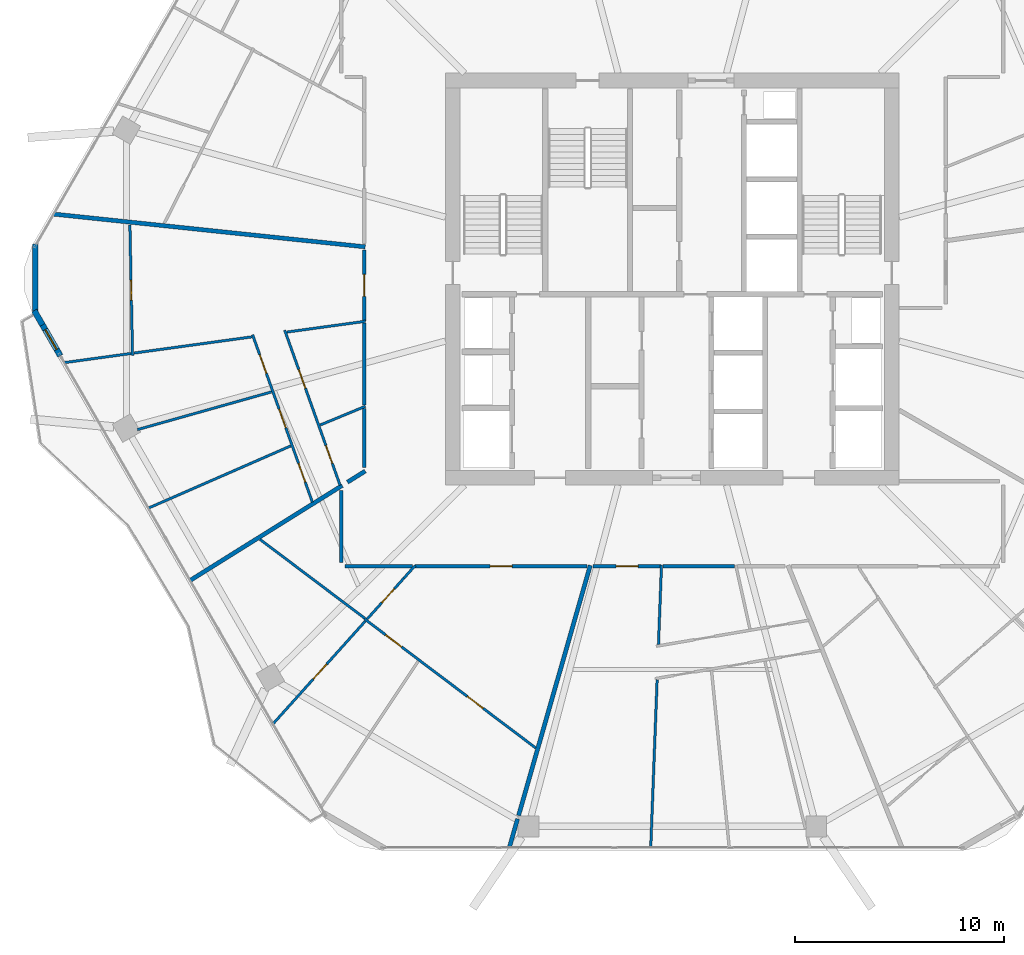
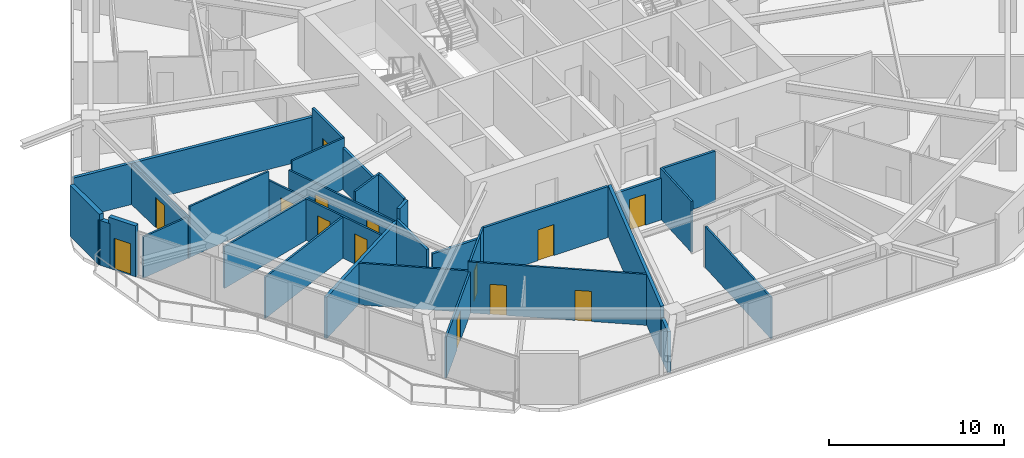
# One storey, part 18 of 26: 32 walls, 14 doors, 14 openings.
"""IFC4 building model written with IfcOpenShell, lengths in metres."""

import ifcopenshell
import ifcopenshell.guid

model = None  # the IFC model being written
_history = None  # IfcOwnerHistory: only IFC2X3 demands one
_inside = {}  # id of a spatial element -> (the spatial element, [elements in it])
_under = {}  # id of a project, library or spatial element -> (it, [spatial elements below it])
_declared = {}  # id of a project -> (the project, [libraries it declares])
_typed = {}  # id of a type object -> (the type object, [elements of that type])
_made_of = {}  # id of a material, layer set ... -> (it, [elements and type objects made of it])


def new_model(schema):
    """Start an empty IFC model of exactly this schema.

    Asked for "IFC4X3", IfcOpenShell would pick the latest addendum, in which some entities
    have other attributes; the version numbers below select the first issue.
    IFC2X3 requires an IfcOwnerHistory on every rooted entity: one is made here for all.
    """
    global model, _history
    if schema == "IFC4X3":
        model = ifcopenshell.file(schema_version=(4, 3, 0, 0))
    else:
        model = ifcopenshell.file(schema=schema)
    _inside.clear()
    _under.clear()
    _declared.clear()
    _typed.clear()
    _made_of.clear()
    _history = None
    if model.schema == "IFC2X3":
        org = make("IfcOrganization", Name="unknown")
        user = make(
            "IfcPersonAndOrganization",
            ThePerson=make("IfcPerson", FamilyName="unknown"),
            TheOrganization=org,
        )
        app = make(
            "IfcApplication",
            ApplicationDeveloper=org,
            Version="unknown",
            ApplicationFullName="unknown",
            ApplicationIdentifier="unknown",
        )
        _history = make(
            "IfcOwnerHistory",
            OwningUser=user,
            OwningApplication=app,
            ChangeAction="ADDED",
            CreationDate=0,
        )
    return model


def make(cls, **values):
    """One entity of the class cls with the attributes given. An attribute that is None is left unset."""
    return model.create_entity(
        cls, **{name: value for name, value in values.items() if value is not None}
    )


def rooted(cls, **values):
    """An entity with a GlobalId (a new one), such as an element, a storey or a relation."""
    return make(cls, GlobalId=ifcopenshell.guid.new(), OwnerHistory=_history, **values)


def si_unit(unit_type, name, prefix=None):
    """IfcSIUnit, for example si_unit("LENGTHUNIT", "METRE", prefix="MILLI")."""
    return make("IfcSIUnit", UnitType=unit_type, Prefix=prefix, Name=name)


def assignment(units):
    """IfcUnitAssignment: the units of a project."""
    return None if units is None else make("IfcUnitAssignment", Units=units)


def point(xyz):
    """IfcCartesianPoint."""
    return None if xyz is None else make("IfcCartesianPoint", Coordinates=xyz)


def direction(xyz):
    """IfcDirection."""
    return None if xyz is None else make("IfcDirection", DirectionRatios=xyz)


def frame(location, z_axis=None, x_axis=None):
    """IfcAxis2Placement3D, a coordinate frame: its origin and axes. An axis left out is left unset."""
    return make(
        "IfcAxis2Placement3D",
        Location=point(location),
        Axis=direction(z_axis),
        RefDirection=direction(x_axis),
    )


def frame_2d(location, x_axis=None):
    """IfcAxis2Placement2D, a coordinate frame in the plane: its origin and x axis."""
    return make(
        "IfcAxis2Placement2D", Location=point(location), RefDirection=direction(x_axis)
    )


def origin():
    """The frame at (0, 0, 0) with its axes left unset."""
    return frame((0.0, 0.0, 0.0))


def place(relative_to, where):
    """IfcLocalPlacement: puts the frame where relative to a parent placement (None: the world)."""
    return make(
        "IfcLocalPlacement", PlacementRelTo=relative_to, RelativePlacement=where
    )


def context(
    kind, dimensions, precision=None, world=None, true_north=None, identifier=None
):
    """IfcGeometricRepresentationContext, for example the 3D "Model" context."""
    return make(
        "IfcGeometricRepresentationContext",
        ContextIdentifier=identifier,
        ContextType=kind,
        CoordinateSpaceDimension=dimensions,
        Precision=precision,
        WorldCoordinateSystem=world,
        TrueNorth=true_north,
    )


def subcontext(parent, identifier, kind, view, scale=None):
    """IfcGeometricRepresentationSubContext, for example "Body" below "Model"."""
    return make(
        "IfcGeometricRepresentationSubContext",
        ContextIdentifier=identifier,
        ContextType=kind,
        ParentContext=parent,
        TargetScale=scale,
        TargetView=view,
    )


def project(units=None, contexts=None):
    """IfcProject with its units and contexts."""
    return rooted(
        "IfcProject",
        Name="project",
        RepresentationContexts=contexts,
        UnitsInContext=assignment(units),
    )


def spatial(cls, under=None, at=None, **own):
    """A site, building, storey or space (cls), placed at a placement, below another one or the project."""
    s = rooted(cls, ObjectPlacement=at, **own)
    if under is not None:
        _under.setdefault(under.id(), (under, []))[1].append(s)
    return s


def profile(cls, at=None, kind="AREA", **sizes):
    """A parametric profile (cls). Its sizes go by their IFC names, for example OverallWidth=200.0."""
    return make(cls, ProfileType=kind, Position=at, **sizes)


def rectangle(**sizes):
    """IfcRectangleProfileDef."""
    return profile("IfcRectangleProfileDef", **sizes)


def extrude(swept, where, along, depth):
    """IfcExtrudedAreaSolid: the profile swept, set in the frame where, extruded along a direction by depth."""
    return make(
        "IfcExtrudedAreaSolid",
        SweptArea=swept,
        Position=where,
        ExtrudedDirection=direction(along),
        Depth=depth,
    )


def shape(context_of_items, identifier, shape_type, items):
    """IfcShapeRepresentation: the items that make up one representation, for example the "Body"."""
    return make(
        "IfcShapeRepresentation",
        ContextOfItems=context_of_items,
        RepresentationIdentifier=identifier,
        RepresentationType=shape_type,
        Items=items,
    )


def material(Name=None, Category=None):
    """IfcMaterial."""
    return make("IfcMaterial", Name=Name, Category=Category)


def layer(
    of_material, thickness, ventilated=None, Name=None, Category=None, Priority=None
):
    """IfcMaterialLayer: one layer of a wall or slab, of a material (None: an air gap)."""
    return make(
        "IfcMaterialLayer",
        Material=of_material,
        LayerThickness=thickness,
        IsVentilated=ventilated,
        Name=Name,
        Category=Category,
        Priority=Priority,
    )


def layer_set(layers, Name=None):
    """IfcMaterialLayerSet."""
    return make("IfcMaterialLayerSet", MaterialLayers=layers, LayerSetName=Name)


def made_of(thing, what):
    """Note that an element or type object is made of a material, layer set ...; save() writes the relation."""
    if what is not None:
        _made_of.setdefault(what.id(), (what, []))[1].append(thing)
    return thing


def type_object(cls, material=None, **own):
    """A type object (cls), such as IfcWallType, which elements share."""
    return made_of(rooted(cls, **own), material)


def element(
    cls,
    number,
    at=None,
    inside=None,
    cuts=None,
    type_object=None,
    material=None,
    context=None,
    identifier="Body",
    shape_type=None,
    held_by="IfcProductDefinitionShape",
    body=None,
    shapes=None,
    **own,
):
    """One element of the class cls, such as IfcWall. Its Tag is "e" and its number.

    at: its placement. inside: the storey or other place that contains it. cuts: it is an
    opening in that element (IfcRelVoidsElement). A single representation is given by context,
    identifier, shape_type and body (its items); several are given by shapes. held_by: the class
    of the entity that holds the representations. save() writes the other relations.
    """
    e = rooted(cls, Tag="e%d" % number, ObjectPlacement=at, **own)
    if body is not None:
        shapes = [shape(context, identifier, shape_type, body)]
    if shapes is not None:
        e.Representation = make(held_by, Representations=shapes)
    if inside is not None:
        _inside.setdefault(inside.id(), (inside, []))[1].append(e)
    if cuts is not None:
        rooted(
            "IfcRelVoidsElement", RelatingBuildingElement=cuts, RelatedOpeningElement=e
        )
    if type_object is not None:
        _typed.setdefault(type_object.id(), (type_object, []))[1].append(e)
    return made_of(e, material)


def fill(opening, filler):
    """IfcRelFillsElement: the door or window that sits in an opening."""
    return rooted(
        "IfcRelFillsElement",
        RelatingOpeningElement=opening,
        RelatedBuildingElement=filler,
    )


def aggregate(whole, parts):
    """IfcRelAggregates: a whole, such as a stair, and the parts it consists of."""
    return rooted("IfcRelAggregates", RelatingObject=whole, RelatedObjects=parts)


def save(model, path):
    """Write the relations noted so far, then the file.

    IfcRelAggregates (storeys below a building ...), IfcRelContainedInSpatialStructure (elements
    in a storey), IfcRelDefinesByType, IfcRelAssociatesMaterial and IfcRelDeclares: one each for
    every whole, place, type object, material and project.
    """
    for whole, parts in _under.values():
        aggregate(whole, parts)
    for where, things in _inside.values():
        rooted(
            "IfcRelContainedInSpatialStructure",
            RelatedElements=things,
            RelatingStructure=where,
        )
    for kind, things in _typed.values():
        rooted("IfcRelDefinesByType", RelatedObjects=things, RelatingType=kind)
    for what, things in _made_of.values():
        rooted("IfcRelAssociatesMaterial", RelatedObjects=things, RelatingMaterial=what)
    for by, libraries in _declared.values():
        rooted("IfcRelDeclares", RelatingContext=by, RelatedDefinitions=libraries)
    model.write(path)


model = new_model("IFC4")

# Units and contexts
model_context = context("Model", 3, precision=1e-05, world=origin(), true_north=direction((0.0, 1.0)))
body_context = subcontext(model_context, "Body", "Model", "MODEL_VIEW")
ifc_project = project(units=[si_unit("LENGTHUNIT", "METRE"), si_unit("AREAUNIT", "SQUARE_METRE"), si_unit("VOLUMEUNIT", "CUBIC_METRE"), si_unit("PLANEANGLEUNIT", "RADIAN"), si_unit("MASSUNIT", "GRAM", prefix="KILO")], contexts=[model_context])

# Site, building, storey
site_placement = place(None, origin())
site = spatial("IfcSite", under=ifc_project, at=site_placement, CompositionType="ELEMENT")
building_placement = place(site_placement, origin())
building = spatial("IfcBuilding", under=site, at=building_placement, Name="Zuhravey Tower", CompositionType="ELEMENT")
storey_placement = place(building_placement, frame((0.0, 0.0, 158.0)))
storey = spatial("IfcBuildingStorey", under=building, at=storey_placement, Name="L39", CompositionType="ELEMENT", Elevation=158.0)

# Wall, opening, door
ifc_material_1 = material(Name="Gypsum fire-rated stud partition")
ifc_layer_1 = layer(ifc_material_1, 0.159912109375)
ifc_layer_set_1 = layer_set([ifc_layer_1], Name="Gypsum fire-rated stud partition")
wall_type_1 = type_object("IfcWallType", Name="Corridor Fire Partition 160", PredefinedType="PARTITIONING", material=ifc_layer_set_1)
wall_1_placement = place(storey_placement, frame((21.27001953125, 33.398193359375, 0.0), z_axis=(0.0, 0.0, 1.0), x_axis=(0.0, -1.0, 0.0)))
wall_1 = element("IfcWall", 1, at=wall_1_placement, inside=storey, type_object=wall_type_1, Name="L39 IW16 Partition 041", PredefinedType="PARTITIONING", context=body_context, shape_type="SweptSolid", body=[
    extrude(rectangle(XDim=3.40087890625, YDim=0.159912109375, at=frame_2d((1.700439453125, 0.0))), origin(), (0.0, 0.0, 1.0), 3.550048828125),
])
opening_1_placement = place(wall_1_placement, frame((1.175537109375, 0.0, 0.0)))
opening_1 = element("IfcOpeningElement", 2, at=opening_1_placement, cuts=wall_1, Name="Opening APD1", PredefinedType="OPENING", context=body_context, shape_type="SweptSolid", body=[
    extrude(rectangle(XDim=1.050048828125, YDim=2.14990234375, at=frame_2d((0.52490234375, 1.074951171875))), frame((0.0, 0.092041015625, 0.0), z_axis=(0.0, -1.0, 0.0), x_axis=(1.0, 0.0, 0.0)), (0.0, 0.0, 1.0), 0.183837890625),
])
ifc_material_2 = material(Name="Solid-core oak fire-rated leaf")
door_type_1 = type_object("IfcDoorType", Name="Apartment Entrance Fire Door 1050x2150", OperationType="NOTDEFINED", PredefinedType="DOOR", material=ifc_material_2)
door_1_placement = place(opening_1_placement, frame((1.050048828125, 0.0, 0.0), z_axis=(0.0, 0.0, 1.0), x_axis=(-1.0, 0.0, 0.0)))
door_1 = element("IfcDoor", 3, at=door_1_placement, inside=storey, type_object=door_type_1, Name="L39 Door 041.1", OperationType="SINGLE_SWING_LEFT", OverallHeight=2.14990234375, OverallWidth=1.050048828125, PredefinedType="DOOR", context=body_context, shape_type="SweptSolid", body=[
    extrude(rectangle(XDim=1.050048828125, YDim=2.14990234375, at=frame_2d((0.52490234375, 1.074951171875))), frame((0.0, 0.02490234375, 0.0), z_axis=(0.0, -1.0, 0.0), x_axis=(1.0, 0.0, 0.0)), (0.0, 0.0, 1.0), 0.050048828125),
])
fill(opening_1, door_1)

wall_2_placement = place(storey_placement, frame((23.698974609375, 18.27001953125, 0.0), z_axis=(0.0, 0.0, 1.0), x_axis=(1.0, 0.0, 0.0)))
wall_2 = element("IfcWall", 4, at=wall_2_placement, inside=storey, type_object=wall_type_1, Name="L39 IW16 Partition 045", PredefinedType="PARTITIONING", context=body_context, shape_type="SweptSolid", body=[
    extrude(rectangle(XDim=8.213134765625, YDim=0.159912109375, at=frame_2d((4.1064453125, 0.0))), origin(), (0.0, 0.0, 1.0), 3.550048828125),
])
opening_2_placement = place(wall_2_placement, frame((3.58154296875, 0.0, 0.0)))
opening_2 = element("IfcOpeningElement", 5, at=opening_2_placement, cuts=wall_2, Name="Opening APD1", PredefinedType="OPENING", context=body_context, shape_type="SweptSolid", body=[
    extrude(rectangle(XDim=1.050048828125, YDim=2.14990234375, at=frame_2d((0.52490234375, 1.074951171875))), frame((0.0, 0.092041015625, 0.0), z_axis=(0.0, -1.0, 0.0), x_axis=(1.0, 0.0, 0.0)), (0.0, 0.0, 1.0), 0.183837890625),
])
door_2_placement = place(opening_2_placement, frame((1.050048828125, 0.0, 0.0), z_axis=(0.0, 0.0, 1.0), x_axis=(-1.0, 0.0, 0.0)))
door_2 = element("IfcDoor", 6, at=door_2_placement, inside=storey, type_object=door_type_1, Name="L39 Door 045.1", OperationType="SINGLE_SWING_RIGHT", OverallHeight=2.14990234375, OverallWidth=1.050048828125, PredefinedType="DOOR", context=body_context, shape_type="SweptSolid", body=[
    extrude(rectangle(XDim=1.050048828125, YDim=2.14990234375, at=frame_2d((0.52490234375, 1.074951171875))), frame((0.0, 0.02490234375, 0.0), z_axis=(0.0, -1.0, 0.0), x_axis=(1.0, 0.0, 0.0)), (0.0, 0.0, 1.0), 0.050048828125),
])
fill(opening_2, door_2)

wall_3_placement = place(storey_placement, frame((32.213134765625, 18.27001953125, 0.0), z_axis=(0.0, 0.0, 1.0), x_axis=(1.0, 0.0, 0.0)))
wall_3 = element("IfcWall", 7, at=wall_3_placement, inside=storey, type_object=wall_type_1, Name="L39 IW16 Partition 048", PredefinedType="PARTITIONING", context=body_context, shape_type="SweptSolid", body=[
    extrude(rectangle(XDim=3.244140625, YDim=0.159912109375, at=frame_2d((1.6220703125, 0.0))), origin(), (0.0, 0.0, 1.0), 2.89990234375),
])
opening_3_placement = place(wall_3_placement, frame((1.09716796875, 0.0, 0.0)))
opening_3 = element("IfcOpeningElement", 8, at=opening_3_placement, cuts=wall_3, Name="Opening APD1", PredefinedType="OPENING", context=body_context, shape_type="SweptSolid", body=[
    extrude(rectangle(XDim=1.050048828125, YDim=2.14990234375, at=frame_2d((0.52490234375, 1.074951171875))), frame((0.0, 0.092041015625, 0.0), z_axis=(0.0, -1.0, 0.0), x_axis=(1.0, 0.0, 0.0)), (0.0, 0.0, 1.0), 0.183837890625),
])
door_3_placement = place(opening_3_placement, frame((1.050048828125, 0.0, 0.0), z_axis=(0.0, 0.0, 1.0), x_axis=(-1.0, 0.0, 0.0)))
door_3 = element("IfcDoor", 9, at=door_3_placement, inside=storey, type_object=door_type_1, Name="L39 Door 048.1", OperationType="SINGLE_SWING_RIGHT", OverallHeight=2.14990234375, OverallWidth=1.050048828125, PredefinedType="DOOR", context=body_context, shape_type="SweptSolid", body=[
    extrude(rectangle(XDim=1.050048828125, YDim=2.14990234375, at=frame_2d((0.52490234375, 1.074951171875))), frame((0.0, 0.02490234375, 0.0), z_axis=(0.0, -1.0, 0.0), x_axis=(1.0, 0.0, 0.0)), (0.0, 0.0, 1.0), 0.050048828125),
])
fill(opening_3, door_3)

# Walls
wall_4_placement = place(storey_placement, frame((21.27001953125, 29.908203125, 0.0), z_axis=(0.0, 0.0, 1.0), x_axis=(0.0, -1.0, 0.0)))
element("IfcWall", 10, at=wall_4_placement, inside=storey, type_object=wall_type_1, Name="L39 IW16 Partition 123", PredefinedType="PARTITIONING", context=body_context, shape_type="SweptSolid", body=[
    extrude(rectangle(XDim=3.9365234375, YDim=0.159912109375, at=frame_2d((1.96826171875, 0.0))), origin(), (0.0, 0.0, 1.0), 2.89990234375),
])
wall_5_placement = place(storey_placement, frame((21.27001953125, 25.82470703125, 0.0), z_axis=(0.0, 0.0, 1.0), x_axis=(0.0, -1.0, 0.0)))
element("IfcWall", 11, at=wall_5_placement, inside=storey, type_object=wall_type_1, Name="L39 IW16 Partition 124", PredefinedType="PARTITIONING", context=body_context, shape_type="SweptSolid", body=[
    extrude(rectangle(XDim=2.827880859375, YDim=0.159912109375, at=frame_2d((1.4140625, 0.0))), origin(), (0.0, 0.0, 1.0), 3.550048828125),
])
wall_6_placement = place(storey_placement, frame((20.169921875, 21.8916015625, 0.0), z_axis=(0.0, 0.0, 1.0), x_axis=(0.0, -1.0, 0.0)))
element("IfcWall", 12, at=wall_6_placement, inside=storey, type_object=wall_type_1, Name="L39 IW16 Partition 125", PredefinedType="PARTITIONING", context=body_context, shape_type="SweptSolid", body=[
    extrude(rectangle(XDim=3.441650390625, YDim=0.159912109375, at=frame_2d((1.720703125, 0.0))), origin(), (0.0, 0.0, 1.0), 3.14990234375),
])
wall_7_placement = place(storey_placement, frame((20.35009765625, 18.27001953125, 0.0), z_axis=(0.0, 0.0, 1.0), x_axis=(1.0, 0.0, 0.0)))
element("IfcWall", 13, at=wall_7_placement, inside=storey, type_object=wall_type_1, Name="L39 IW16 Partition 126", PredefinedType="PARTITIONING", context=body_context, shape_type="SweptSolid", body=[
    extrude(rectangle(XDim=3.230712890625, YDim=0.159912109375, at=frame_2d((1.615234375, 0.0))), origin(), (0.0, 0.0, 1.0), 2.89990234375),
])
wall_8_placement = place(storey_placement, frame((35.54541015625, 18.27001953125, 0.0), z_axis=(0.0, 0.0, 1.0), x_axis=(1.0, 0.0, 0.0)))
element("IfcWall", 14, at=wall_8_placement, inside=storey, type_object=wall_type_1, Name="L39 IW16 Partition 127", PredefinedType="PARTITIONING", context=body_context, shape_type="SweptSolid", body=[
    extrude(rectangle(XDim=3.42919921875, YDim=0.159912109375, at=frame_2d((1.714599609375, 0.0))), origin(), (0.0, 0.0, 1.0), 3.550048828125),
])

# Wall, opening, door
ifc_material_3 = material(Name="Precast concrete C40/50", Category="concrete")
ifc_layer_2 = layer(ifc_material_3, 0.280029296875)
ifc_layer_set_2 = layer_set([ifc_layer_2], Name="Precast concrete C40/50")
wall_type_2 = type_object("IfcWallType", Name="Crown Architectural Wall 280", PredefinedType="SOLIDWALL", material=ifc_layer_set_2)
wall_9_placement = place(storey_placement, frame((6.7255859375, 28.33837890625, 0.0), z_axis=(0.0, 0.0, 1.0), x_axis=(-0.49987987985, 0.866094744079, 0.0)))
wall_9 = element("IfcWall", 15, at=wall_9_placement, inside=storey, type_object=wall_type_2, Name="L39 Face 4 Facade Pier EW28-1", PredefinedType="SOLIDWALL", context=body_context, shape_type="SweptSolid", body=[
    extrude(rectangle(XDim=1.7900390625, YDim=0.280029296875, at=frame_2d((0.89501953125, 0.0))), origin(), (0.0, 0.0, 1.0), 3.550048828125),
])
opening_4_placement = place(wall_9_placement, frame((0.344970703125, 0.0, 0.0)))
opening_4 = element("IfcOpeningElement", 16, at=opening_4_placement, cuts=wall_9, Name="Opening BLD1", PredefinedType="OPENING", context=body_context, shape_type="SweptSolid", body=[
    extrude(rectangle(XDim=1.10009765625, YDim=2.199951171875, at=frame_2d((0.550048828125, 1.10009765625))), frame((0.0, 0.152099609375, 0.0), z_axis=(0.0, -1.0, 0.0), x_axis=(1.0, 0.0, 0.0)), (0.0, 0.0, 1.0), 0.303955078125),
])
ifc_material_4 = material(Name="Thermally broken aluminium and low-E glass", Category="aluminium")
door_type_2 = type_object("IfcDoorType", Name="Balcony & Sky-Tray Glazed Door 1100x2200", OperationType="NOTDEFINED", PredefinedType="DOOR", material=ifc_material_4)
door_4_placement = place(opening_4_placement, frame((1.10009765625, 0.0, 0.0), z_axis=(0.0, 0.0, 1.0), x_axis=(-1.0, 0.0, 0.0)))
door_4 = element("IfcDoor", 17, at=door_4_placement, inside=storey, type_object=door_type_2, Name="L39 Face 4 Wave Balcony Door", OperationType="SINGLE_SWING_LEFT", OverallHeight=2.199951171875, OverallWidth=1.10009765625, PredefinedType="DOOR", context=body_context, shape_type="SweptSolid", body=[
    extrude(rectangle(XDim=1.10009765625, YDim=2.199951171875, at=frame_2d((0.550048828125, 1.10009765625))), frame((0.0, 0.02490234375, 0.0), z_axis=(0.0, -1.0, 0.0), x_axis=(1.0, 0.0, 0.0)), (0.0, 0.0, 1.0), 0.050048828125),
])
fill(opening_4, door_4)

# Walls
wall_10_placement = place(storey_placement, frame((5.875732421875, 29.810546875, 0.0), z_axis=(0.0, 0.0, 1.0), x_axis=(-0.499927510798, 0.8660672514, 0.0)))
element("IfcWall", 18, at=wall_10_placement, inside=storey, type_object=wall_type_2, Name="L39 Face 4 Closure Pier EW28", PredefinedType="SOLIDWALL", context=body_context, shape_type="SweptSolid", body=[
    extrude(rectangle(XDim=0.7900390625, YDim=0.280029296875, at=frame_2d((0.39501953125, 0.0))), origin(), (0.0, 0.0, 1.0), 3.1220703125),
])
wall_11_placement = place(storey_placement, frame((5.5283203125, 30.3173828125, 0.0), z_axis=(0.0, 0.0, 1.0), x_axis=(0.0, 1.0, 0.0)))
element("IfcWall", 19, at=wall_11_placement, inside=storey, type_object=wall_type_2, Name="L39 Rounded Corner Closure Wall EW28-06", PredefinedType="SOLIDWALL", context=body_context, shape_type="SweptSolid", body=[
    extrude(rectangle(XDim=3.365234375, YDim=0.280029296875, at=frame_2d((1.6826171875, 0.0))), origin(), (0.0, 0.0, 1.0), 3.550048828125),
])
ifc_material_5 = material(Name="Gypsum double-stud party assembly")
ifc_layer_3 = layer(ifc_material_5, 0.199951171875)
ifc_layer_set_3 = layer_set([ifc_layer_3], Name="Gypsum double-stud party assembly")
wall_type_3 = type_object("IfcWallType", Name="Inter-Tenancy Party Wall 200", PredefinedType="PARTITIONING", material=ifc_layer_set_3)
wall_12_placement = place(storey_placement, frame((21.31005859375, 33.5439453125, 0.0), z_axis=(0.0, 0.0, 1.0), x_axis=(-0.994521332404, 0.104533819379, 0.0)))
element("IfcWall", 20, at=wall_12_placement, inside=storey, type_object=wall_type_3, Name="L39 IW20 Partition 085", PredefinedType="PARTITIONING", context=body_context, shape_type="SweptSolid", body=[
    extrude(rectangle(XDim=14.984619140625, YDim=0.199951171875, at=frame_2d((7.4921875, 0.0))), origin(), (0.0, 0.0, 1.0), 2.8701171875),
])
wall_13_placement = place(storey_placement, frame((21.31005859375, 22.82080078125, 0.0), z_axis=(0.0, 0.0, 1.0), x_axis=(-0.848039384523, -0.529933205506, 0.0)))
element("IfcWall", 21, at=wall_13_placement, inside=storey, type_object=wall_type_3, Name="L39 IW20 Partition 092", PredefinedType="PARTITIONING", context=body_context, shape_type="SweptSolid", body=[
    extrude(rectangle(XDim=1.00146484375, YDim=0.199951171875, at=frame_2d((0.500732421875, 0.0))), origin(), (0.0, 0.0, 1.0), 3.550048828125),
])
wall_14_placement = place(storey_placement, frame((20.2099609375, 22.13330078125, 0.0), z_axis=(0.0, 0.0, 1.0), x_axis=(-0.848051050333, -0.529914536534, 0.0)))
element("IfcWall", 22, at=wall_14_placement, inside=storey, type_object=wall_type_3, Name="L39 IW20 Partition 093", PredefinedType="PARTITIONING", context=body_context, shape_type="SweptSolid", body=[
    extrude(rectangle(XDim=8.580322265625, YDim=0.199951171875, at=frame_2d((4.2900390625, 0.0))), origin(), (0.0, 0.0, 1.0), 2.8701171875),
])
wall_15_placement = place(storey_placement, frame((32.074462890625, 18.31005859375, 0.0), z_axis=(0.0, 0.0, 1.0), x_axis=(-0.275640788156, -0.961260711724, 0.0)))
element("IfcWall", 23, at=wall_15_placement, inside=storey, type_object=wall_type_3, Name="L39 IW20 Partition 097", PredefinedType="PARTITIONING", context=body_context, shape_type="SweptSolid", body=[
    extrude(rectangle(XDim=12.4453125, YDim=0.199951171875, at=frame_2d((6.22265625, 0.0))), origin(), (0.0, 0.0, 1.0), 3.550048828125),
])
wall_16_placement = place(storey_placement, frame((28.597900390625, 6.186279296875, 0.0), z_axis=(0.0, 0.0, 1.0), x_axis=(-0.275581158173, -0.961277808576, 0.0)))
element("IfcWall", 24, at=wall_16_placement, inside=storey, type_object=wall_type_3, Name="L39 IW20 Partition 098", PredefinedType="PARTITIONING", context=body_context, shape_type="SweptSolid", body=[
    extrude(rectangle(XDim=1.424560546875, YDim=0.199951171875, at=frame_2d((0.71240234375, 0.0))), origin(), (0.0, 0.0, 1.0), 2.8701171875),
])

# Wall, opening, door
ifc_material_6 = material(Name="Gypsum metal-stud partition")
ifc_layer_4 = layer(ifc_material_6, 0.1201171875)
ifc_layer_set_4 = layer_set([ifc_layer_4], Name="Gypsum metal-stud partition")
wall_type_4 = type_object("IfcWallType", Name="Unit Internal Partition 120", PredefinedType="PARTITIONING", material=ifc_layer_set_4)
wall_17_placement = place(storey_placement, frame((10.05419921875, 34.598876953125, 0.0), z_axis=(0.0, 0.0, 1.0), x_axis=(0.020243671552, -0.999795075884, 0.0)))
wall_17 = element("IfcWall", 25, at=wall_17_placement, inside=storey, type_object=wall_type_4, Name="L39 IW12 Partition 038", PredefinedType="PARTITIONING", context=body_context, shape_type="SweptSolid", body=[
    extrude(rectangle(XDim=6.2470703125, YDim=0.1201171875, at=frame_2d((3.12353515625, 0.0))), origin(), (0.0, 0.0, 1.0), 2.8701171875),
])
opening_5_placement = place(wall_17_placement, frame((2.6484375, 0.0, 0.0)))
opening_5 = element("IfcOpeningElement", 26, at=opening_5_placement, cuts=wall_17, Name="Opening IND1", PredefinedType="OPENING", context=body_context, shape_type="SweptSolid", body=[
    extrude(rectangle(XDim=0.949951171875, YDim=2.10009765625, at=frame_2d((0.47509765625, 1.050048828125))), frame((0.0, 0.072021484375, 0.0), z_axis=(0.0, -1.0, 0.0), x_axis=(1.0, 0.0, 0.0)), (0.0, 0.0, 1.0), 0.14404296875),
])
ifc_material_7 = material(Name="Painted engineered timber leaf", Category="wood")
door_type_3 = type_object("IfcDoorType", Name="Internal Room & Bedroom Door 950x2100", OperationType="NOTDEFINED", PredefinedType="DOOR", material=ifc_material_7)
door_5_placement = place(opening_5_placement, frame((0.949951171875, 0.0, 0.0), z_axis=(0.0, 0.0, 1.0), x_axis=(-1.0, 0.0, 0.0)))
door_5 = element("IfcDoor", 27, at=door_5_placement, inside=storey, type_object=door_type_3, Name="Apartment L39-05 Family Study Door", OperationType="SINGLE_SWING_LEFT", OverallHeight=2.10009765625, OverallWidth=0.949951171875, PredefinedType="DOOR", context=body_context, shape_type="SweptSolid", body=[
    extrude(rectangle(XDim=0.949951171875, YDim=2.10009765625, at=frame_2d((0.47509765625, 1.050048828125))), frame((0.0, 0.02490234375, 0.0), z_axis=(0.0, -1.0, 0.0), x_axis=(1.0, 0.0, 0.0)), (0.0, 0.0, 1.0), 0.050048828125),
])
fill(opening_5, door_5)

# Wall, openings, doors
wall_18_placement = place(storey_placement, frame((17.459716796875, 29.5546875, 0.0), z_axis=(0.0, 0.0, 1.0), x_axis=(0.336444483984, -0.941703302106, 0.0)))
wall_18 = element("IfcWall", 28, at=wall_18_placement, inside=storey, type_object=wall_type_4, Name="L39 IW12 Partition 039", PredefinedType="PARTITIONING", context=body_context, shape_type="SweptSolid", body=[
    extrude(rectangle(XDim=7.86962890625, YDim=0.1201171875, at=frame_2d((3.934814453125, 0.0))), origin(), (0.0, 0.0, 1.0), 2.89990234375),
])
opening_6_placement = place(wall_18_placement, frame((1.997314453125, 0.0, 0.0)))
opening_6 = element("IfcOpeningElement", 29, at=opening_6_placement, cuts=wall_18, Name="Opening IND1", PredefinedType="OPENING", context=body_context, shape_type="SweptSolid", body=[
    extrude(rectangle(XDim=0.949951171875, YDim=2.10009765625, at=frame_2d((0.47509765625, 1.050048828125))), frame((0.0, 0.072021484375, 0.0), z_axis=(0.0, -1.0, 0.0), x_axis=(1.0, 0.0, 0.0)), (0.0, 0.0, 1.0), 0.14404296875),
])
opening_7_placement = place(wall_18_placement, frame((5.854736328125, 0.0, 0.0)))
opening_7 = element("IfcOpeningElement", 30, at=opening_7_placement, cuts=wall_18, Name="Opening WCD1", PredefinedType="OPENING", context=body_context, shape_type="SweptSolid", body=[
    extrude(rectangle(XDim=0.89990234375, YDim=2.10009765625, at=frame_2d((0.449951171875, 1.050048828125))), frame((0.0, 0.072021484375, 0.0), z_axis=(0.0, -1.0, 0.0), x_axis=(1.0, 0.0, 0.0)), (0.0, 0.0, 1.0), 0.14404296875),
])
ifc_material_8 = material(Name="Moisture-resistant timber leaf", Category="wood")
door_type_4 = type_object("IfcDoorType", Name="Bathroom & WC Internal Door 900x2100", OperationType="NOTDEFINED", PredefinedType="DOOR", material=ifc_material_8)
door_6_placement = place(opening_7_placement, origin())
door_6 = element("IfcDoor", 31, at=door_6_placement, inside=storey, type_object=door_type_4, Name="Apartment L39-05 Bathroom Door", OperationType="SINGLE_SWING_LEFT", OverallHeight=2.10009765625, OverallWidth=0.89990234375, PredefinedType="DOOR", context=body_context, shape_type="SweptSolid", body=[
    extrude(rectangle(XDim=0.89990234375, YDim=2.10009765625, at=frame_2d((0.449951171875, 1.050048828125))), frame((0.0, 0.02490234375, 0.0), z_axis=(0.0, -1.0, 0.0), x_axis=(1.0, 0.0, 0.0)), (0.0, 0.0, 1.0), 0.050048828125),
])
fill(opening_7, door_6)
door_7_placement = place(opening_6_placement, origin())
door_7 = element("IfcDoor", 32, at=door_7_placement, inside=storey, type_object=door_type_3, Name="Apartment L39-05 Kitchen Door", OperationType="SINGLE_SWING_RIGHT", OverallHeight=2.10009765625, OverallWidth=0.949951171875, PredefinedType="DOOR", context=body_context, shape_type="SweptSolid", body=[
    extrude(rectangle(XDim=0.949951171875, YDim=2.10009765625, at=frame_2d((0.47509765625, 1.050048828125))), frame((0.0, 0.02490234375, 0.0), z_axis=(0.0, -1.0, 0.0), x_axis=(1.0, 0.0, 0.0)), (0.0, 0.0, 1.0), 0.050048828125),
])
fill(opening_6, door_7)

wall_19_placement = place(storey_placement, frame((15.921142578125, 29.34326171875, 0.0), z_axis=(0.0, 0.0, 1.0), x_axis=(0.336440023532, -0.941704895689, 0.0)))
wall_19 = element("IfcWall", 33, at=wall_19_placement, inside=storey, type_object=wall_type_4, Name="L39 IW12 Partition 040", PredefinedType="PARTITIONING", context=body_context, shape_type="SweptSolid", body=[
    extrude(rectangle(XDim=8.5068359375, YDim=0.1201171875, at=frame_2d((4.25341796875, 0.0))), origin(), (0.0, 0.0, 1.0), 2.89990234375),
])
opening_8_placement = place(wall_19_placement, frame((1.0185546875, 0.0, 0.0)))
opening_8 = element("IfcOpeningElement", 34, at=opening_8_placement, cuts=wall_19, Name="Opening IND1", PredefinedType="OPENING", context=body_context, shape_type="SweptSolid", body=[
    extrude(rectangle(XDim=0.949951171875, YDim=2.10009765625, at=frame_2d((0.47509765625, 1.050048828125))), frame((0.0, 0.072021484375, 0.0), z_axis=(0.0, -1.0, 0.0), x_axis=(1.0, 0.0, 0.0)), (0.0, 0.0, 1.0), 0.14404296875),
])
opening_9_placement = place(wall_19_placement, frame((3.778564453125, 0.0, 0.0)))
opening_9 = element("IfcOpeningElement", 35, at=opening_9_placement, cuts=wall_19, Name="Opening IND1", PredefinedType="OPENING", context=body_context, shape_type="SweptSolid", body=[
    extrude(rectangle(XDim=0.949951171875, YDim=2.10009765625, at=frame_2d((0.47509765625, 1.050048828125))), frame((0.0, 0.072021484375, 0.0), z_axis=(0.0, -1.0, 0.0), x_axis=(1.0, 0.0, 0.0)), (0.0, 0.0, 1.0), 0.14404296875),
])
opening_10_placement = place(wall_19_placement, frame((6.538330078125, 0.0, 0.0)))
opening_10 = element("IfcOpeningElement", 36, at=opening_10_placement, cuts=wall_19, Name="Opening IND1", PredefinedType="OPENING", context=body_context, shape_type="SweptSolid", body=[
    extrude(rectangle(XDim=0.949951171875, YDim=2.10009765625, at=frame_2d((0.47509765625, 1.050048828125))), frame((0.0, 0.072021484375, 0.0), z_axis=(0.0, -1.0, 0.0), x_axis=(1.0, 0.0, 0.0)), (0.0, 0.0, 1.0), 0.14404296875),
])
door_8_placement = place(opening_8_placement, frame((0.949951171875, 0.0, 0.0), z_axis=(0.0, 0.0, 1.0), x_axis=(-1.0, 0.0, 0.0)))
door_8 = element("IfcDoor", 37, at=door_8_placement, inside=storey, type_object=door_type_3, Name="Apartment L39-05 Bedroom 1 Door", OperationType="SINGLE_SWING_RIGHT", OverallHeight=2.10009765625, OverallWidth=0.949951171875, PredefinedType="DOOR", context=body_context, shape_type="SweptSolid", body=[
    extrude(rectangle(XDim=0.949951171875, YDim=2.10009765625, at=frame_2d((0.47509765625, 1.050048828125))), frame((0.0, 0.02490234375, 0.0), z_axis=(0.0, -1.0, 0.0), x_axis=(1.0, 0.0, 0.0)), (0.0, 0.0, 1.0), 0.050048828125),
])
fill(opening_8, door_8)
door_9_placement = place(opening_9_placement, frame((0.949951171875, 0.0, 0.0), z_axis=(0.0, 0.0, 1.0), x_axis=(-1.0, 0.0, 0.0)))
door_9 = element("IfcDoor", 38, at=door_9_placement, inside=storey, type_object=door_type_3, Name="Apartment L39-05 Bedroom 2 Door", OperationType="SINGLE_SWING_LEFT", OverallHeight=2.10009765625, OverallWidth=0.949951171875, PredefinedType="DOOR", context=body_context, shape_type="SweptSolid", body=[
    extrude(rectangle(XDim=0.949951171875, YDim=2.10009765625, at=frame_2d((0.47509765625, 1.050048828125))), frame((0.0, 0.02490234375, 0.0), z_axis=(0.0, -1.0, 0.0), x_axis=(1.0, 0.0, 0.0)), (0.0, 0.0, 1.0), 0.050048828125),
])
fill(opening_9, door_9)
door_10_placement = place(opening_10_placement, frame((0.949951171875, 0.0, 0.0), z_axis=(0.0, 0.0, 1.0), x_axis=(-1.0, 0.0, 0.0)))
door_10 = element("IfcDoor", 39, at=door_10_placement, inside=storey, type_object=door_type_3, Name="Apartment L39-05 Bedroom 3 Door", OperationType="SINGLE_SWING_RIGHT", OverallHeight=2.10009765625, OverallWidth=0.949951171875, PredefinedType="DOOR", context=body_context, shape_type="SweptSolid", body=[
    extrude(rectangle(XDim=0.949951171875, YDim=2.10009765625, at=frame_2d((0.47509765625, 1.050048828125))), frame((0.0, 0.02490234375, 0.0), z_axis=(0.0, -1.0, 0.0), x_axis=(1.0, 0.0, 0.0)), (0.0, 0.0, 1.0), 0.050048828125),
])
fill(opening_10, door_10)

wall_20_placement = place(storey_placement, frame((21.2744140625, 15.749267578125, 0.0), z_axis=(0.0, 0.0, 1.0), x_axis=(0.798637831458, -0.601811942524, 0.0)))
wall_20 = element("IfcWall", 40, at=wall_20_placement, inside=storey, type_object=wall_type_4, Name="L39 IW12 Partition 042", PredefinedType="PARTITIONING", context=body_context, shape_type="SweptSolid", body=[
    extrude(rectangle(XDim=10.253173828125, YDim=0.1201171875, at=frame_2d((5.12646484375, 0.0))), origin(), (0.0, 0.0, 1.0), 3.550048828125),
])
opening_11_placement = place(wall_20_placement, frame((1.27685546875, 0.0, 0.0)))
opening_11 = element("IfcOpeningElement", 41, at=opening_11_placement, cuts=wall_20, Name="Opening IND1", PredefinedType="OPENING", context=body_context, shape_type="SweptSolid", body=[
    extrude(rectangle(XDim=0.949951171875, YDim=2.10009765625, at=frame_2d((0.47509765625, 1.050048828125))), frame((0.0, 0.072021484375, 0.0), z_axis=(0.0, -1.0, 0.0), x_axis=(1.0, 0.0, 0.0)), (0.0, 0.0, 1.0), 0.14404296875),
])
opening_12_placement = place(wall_20_placement, frame((6.1630859375, 0.0, 0.0)))
opening_12 = element("IfcOpeningElement", 42, at=opening_12_placement, cuts=wall_20, Name="Opening IND1", PredefinedType="OPENING", context=body_context, shape_type="SweptSolid", body=[
    extrude(rectangle(XDim=0.949951171875, YDim=2.10009765625, at=frame_2d((0.47509765625, 1.050048828125))), frame((0.0, 0.072021484375, 0.0), z_axis=(0.0, -1.0, 0.0), x_axis=(1.0, 0.0, 0.0)), (0.0, 0.0, 1.0), 0.14404296875),
])
door_11_placement = place(opening_11_placement, frame((0.949951171875, 0.0, 0.0), z_axis=(0.0, 0.0, 1.0), x_axis=(-1.0, 0.0, 0.0)))
door_11 = element("IfcDoor", 43, at=door_11_placement, inside=storey, type_object=door_type_3, Name="Apartment L39-06 Family Study Door", OperationType="SINGLE_SWING_RIGHT", OverallHeight=2.10009765625, OverallWidth=0.949951171875, PredefinedType="DOOR", context=body_context, shape_type="SweptSolid", body=[
    extrude(rectangle(XDim=0.949951171875, YDim=2.10009765625, at=frame_2d((0.47509765625, 1.050048828125))), frame((0.0, 0.02490234375, 0.0), z_axis=(0.0, -1.0, 0.0), x_axis=(1.0, 0.0, 0.0)), (0.0, 0.0, 1.0), 0.050048828125),
])
fill(opening_11, door_11)
door_12_placement = place(opening_12_placement, frame((0.949951171875, 0.0, 0.0), z_axis=(0.0, 0.0, 1.0), x_axis=(-1.0, 0.0, 0.0)))
door_12 = element("IfcDoor", 44, at=door_12_placement, inside=storey, type_object=door_type_3, Name="Apartment L39-06 Dining Room Door", OperationType="SINGLE_SWING_LEFT", OverallHeight=2.10009765625, OverallWidth=0.949951171875, PredefinedType="DOOR", context=body_context, shape_type="SweptSolid", body=[
    extrude(rectangle(XDim=0.949951171875, YDim=2.10009765625, at=frame_2d((0.47509765625, 1.050048828125))), frame((0.0, 0.02490234375, 0.0), z_axis=(0.0, -1.0, 0.0), x_axis=(1.0, 0.0, 0.0)), (0.0, 0.0, 1.0), 0.050048828125),
])
fill(opening_12, door_12)

# Wall, opening, door
wall_21_placement = place(storey_placement, frame((23.160400390625, 17.699951171875, 0.0), z_axis=(0.0, 0.0, 1.0), x_axis=(-0.668093965752, -0.744076913313, 0.0)))
wall_21 = element("IfcWall", 45, at=wall_21_placement, inside=storey, type_object=wall_type_4, Name="L39 IW12 Partition 043", PredefinedType="PARTITIONING", context=body_context, shape_type="SweptSolid", body=[
    extrude(rectangle(XDim=2.634765625, YDim=0.1201171875, at=frame_2d((1.3173828125, 0.0))), origin(), (0.0, 0.0, 1.0), 3.550048828125),
])
opening_13_placement = place(wall_21_placement, frame((0.682861328125, 0.0, 0.0)))
opening_13 = element("IfcOpeningElement", 46, at=opening_13_placement, cuts=wall_21, Name="Opening WCD1", PredefinedType="OPENING", context=body_context, shape_type="SweptSolid", body=[
    extrude(rectangle(XDim=0.89990234375, YDim=2.10009765625, at=frame_2d((0.449951171875, 1.050048828125))), frame((0.0, 0.072021484375, 0.0), z_axis=(0.0, -1.0, 0.0), x_axis=(1.0, 0.0, 0.0)), (0.0, 0.0, 1.0), 0.14404296875),
])
door_13_placement = place(opening_13_placement, frame((0.89990234375, 0.0, 0.0), z_axis=(0.0, 0.0, 1.0), x_axis=(-1.0, 0.0, 0.0)))
door_13 = element("IfcDoor", 47, at=door_13_placement, inside=storey, type_object=door_type_4, Name="Apartment L39-06 Bathroom Door", OperationType="SINGLE_SWING_RIGHT", OverallHeight=2.10009765625, OverallWidth=0.89990234375, PredefinedType="DOOR", context=body_context, shape_type="SweptSolid", body=[
    extrude(rectangle(XDim=0.89990234375, YDim=2.10009765625, at=frame_2d((0.449951171875, 1.050048828125))), frame((0.0, 0.02490234375, 0.0), z_axis=(0.0, -1.0, 0.0), x_axis=(1.0, 0.0, 0.0)), (0.0, 0.0, 1.0), 0.050048828125),
])
fill(opening_13, door_13)

wall_22_placement = place(storey_placement, frame((21.30908203125, 15.63818359375, 0.0), z_axis=(0.0, 0.0, 1.0), x_axis=(-0.668094908061, -0.744076067229, 0.0)))
wall_22 = element("IfcWall", 48, at=wall_22_placement, inside=storey, type_object=wall_type_4, Name="L39 IW12 Partition 044", PredefinedType="PARTITIONING", context=body_context, shape_type="SweptSolid", body=[
    extrude(rectangle(XDim=6.609619140625, YDim=0.1201171875, at=frame_2d((3.3046875, 0.0))), origin(), (0.0, 0.0, 1.0), 2.8701171875),
])
opening_14_placement = place(wall_22_placement, frame((2.767578125, 0.0, 0.0)))
opening_14 = element("IfcOpeningElement", 49, at=opening_14_placement, cuts=wall_22, Name="Opening IND1", PredefinedType="OPENING", context=body_context, shape_type="SweptSolid", body=[
    extrude(rectangle(XDim=0.949951171875, YDim=2.10009765625, at=frame_2d((0.47509765625, 1.050048828125))), frame((0.0, 0.072021484375, 0.0), z_axis=(0.0, -1.0, 0.0), x_axis=(1.0, 0.0, 0.0)), (0.0, 0.0, 1.0), 0.14404296875),
])
door_14_placement = place(opening_14_placement, frame((0.949951171875, 0.0, 0.0), z_axis=(0.0, 0.0, 1.0), x_axis=(-1.0, 0.0, 0.0)))
door_14 = element("IfcDoor", 50, at=door_14_placement, inside=storey, type_object=door_type_3, Name="Apartment L39-06 Bedroom 1 Door", OperationType="SINGLE_SWING_LEFT", OverallHeight=2.10009765625, OverallWidth=0.949951171875, PredefinedType="DOOR", context=body_context, shape_type="SweptSolid", body=[
    extrude(rectangle(XDim=0.949951171875, YDim=2.10009765625, at=frame_2d((0.47509765625, 1.050048828125))), frame((0.0, 0.02490234375, 0.0), z_axis=(0.0, -1.0, 0.0), x_axis=(1.0, 0.0, 0.0)), (0.0, 0.0, 1.0), 0.050048828125),
])
fill(opening_14, door_14)

# Walls
wall_23_placement = place(storey_placement, frame((21.320068359375, 25.9189453125, 0.0), z_axis=(0.0, 0.0, 1.0), x_axis=(-0.923865947443, -0.382716227975, 0.0)))
element("IfcWall", 51, at=wall_23_placement, inside=storey, type_object=wall_type_4, Name="L39 IW12 Partition 086", PredefinedType="PARTITIONING", context=body_context, shape_type="SweptSolid", body=[
    extrude(rectangle(XDim=2.346923828125, YDim=0.1201171875, at=frame_2d((1.17333984375, 0.0))), origin(), (0.0, 0.0, 1.0), 3.550048828125),
])
wall_24_placement = place(storey_placement, frame((16.826904296875, 26.60595703125, 0.0), z_axis=(0.0, 0.0, 1.0), x_axis=(-0.96262766067, -0.270828334767, 0.0)))
element("IfcWall", 52, at=wall_24_placement, inside=storey, type_object=wall_type_4, Name="L39 IW12 Partition 087", PredefinedType="PARTITIONING", context=body_context, shape_type="SweptSolid", body=[
    extrude(rectangle(XDim=6.66357421875, YDim=0.1201171875, at=frame_2d((3.331787109375, 0.0))), origin(), (0.0, 0.0, 1.0), 2.89990234375),
])
wall_25_placement = place(storey_placement, frame((17.749267578125, 24.02392578125, 0.0), z_axis=(0.0, 0.0, 1.0), x_axis=(-0.916318302779, -0.40045070607, 0.0)))
element("IfcWall", 53, at=wall_25_placement, inside=storey, type_object=wall_type_4, Name="L39 IW12 Partition 088", PredefinedType="PARTITIONING", context=body_context, shape_type="SweptSolid", body=[
    extrude(rectangle(XDim=7.44580078125, YDim=0.1201171875, at=frame_2d((3.722900390625, 0.0))), origin(), (0.0, 0.0, 1.0), 2.8701171875),
])
wall_26_placement = place(storey_placement, frame((21.319580078125, 29.98388671875, 0.0), z_axis=(0.0, 0.0, 1.0), x_axis=(-0.990693713304, -0.136110126076, 0.0)))
element("IfcWall", 54, at=wall_26_placement, inside=storey, type_object=wall_type_4, Name="L39 IW12 Partition 089", PredefinedType="PARTITIONING", context=body_context, shape_type="SweptSolid", body=[
    extrude(rectangle(XDim=3.7919921875, YDim=0.1201171875, at=frame_2d((1.89599609375, 0.0))), origin(), (0.0, 0.0, 1.0), 3.550048828125),
])
wall_27_placement = place(storey_placement, frame((15.88671875, 29.23779296875, 0.0), z_axis=(0.0, 0.0, 1.0), x_axis=(-0.990693446478, -0.136112068181, 0.0)))
element("IfcWall", 55, at=wall_27_placement, inside=storey, type_object=wall_type_4, Name="L39 IW12 Partition 090", PredefinedType="PARTITIONING", context=body_context, shape_type="SweptSolid", body=[
    extrude(rectangle(XDim=5.693115234375, YDim=0.1201171875, at=frame_2d((2.8466796875, 0.0))), origin(), (0.0, 0.0, 1.0), 3.550048828125),
])
wall_28_placement = place(storey_placement, frame((10.11083984375, 28.4443359375, 0.0), z_axis=(0.0, 0.0, 1.0), x_axis=(-0.990699601651, -0.136067260167, 0.0)))
element("IfcWall", 56, at=wall_28_placement, inside=storey, type_object=wall_type_4, Name="L39 IW12 Partition 091", PredefinedType="PARTITIONING", context=body_context, shape_type="SweptSolid", body=[
    extrude(rectangle(XDim=3.2314453125, YDim=0.1201171875, at=frame_2d((1.61572265625, 0.0))), origin(), (0.0, 0.0, 1.0), 2.8701171875),
])
wall_29_placement = place(storey_placement, frame((23.698974609375, 18.2998046875, 0.0), z_axis=(0.0, 0.0, 1.0), x_axis=(-0.668077469972, -0.744091724262, 0.0)))
element("IfcWall", 57, at=wall_29_placement, inside=storey, type_object=wall_type_4, Name="L39 IW12 Partition 095", PredefinedType="PARTITIONING", context=body_context, shape_type="SweptSolid", body=[
    extrude(rectangle(XDim=0.80615234375, YDim=0.1201171875, at=frame_2d((0.403076171875, 0.0))), origin(), (0.0, 0.0, 1.0), 3.550048828125),
])
wall_30_placement = place(storey_placement, frame((16.281005859375, 19.55078125, 0.0), z_axis=(0.0, 0.0, 1.0), x_axis=(0.798630108131, -0.60182219167, 0.0)))
element("IfcWall", 58, at=wall_30_placement, inside=storey, type_object=wall_type_4, Name="L39 IW12 Partition 096", PredefinedType="PARTITIONING", context=body_context, shape_type="SweptSolid", body=[
    extrude(rectangle(XDim=6.275634765625, YDim=0.1201171875, at=frame_2d((3.1376953125, 0.0))), origin(), (0.0, 0.0, 1.0), 2.89990234375),
])
wall_31_placement = place(storey_placement, frame((35.479248046875, 18.320068359375, 0.0), z_axis=(0.0, 0.0, 1.0), x_axis=(-0.03804986936, -0.999275841518, 0.0)))
element("IfcWall", 59, at=wall_31_placement, inside=storey, type_object=wall_type_4, Name="L39 IW12 Partition 103", PredefinedType="PARTITIONING", context=body_context, shape_type="SweptSolid", body=[
    extrude(rectangle(XDim=3.7919921875, YDim=0.1201171875, at=frame_2d((1.89599609375, 0.0))), origin(), (0.0, 0.0, 1.0), 3.550048828125),
])
wall_32_placement = place(storey_placement, frame((35.270751953125, 12.83984375, 0.0), z_axis=(0.0, 0.0, 1.0), x_axis=(-0.038054050692, -0.999275682295, 0.0)))
element("IfcWall", 60, at=wall_32_placement, inside=storey, type_object=wall_type_4, Name="L39 IW12 Partition 104", PredefinedType="PARTITIONING", context=body_context, shape_type="SweptSolid", body=[
    extrude(rectangle(XDim=8.038818359375, YDim=0.1201171875, at=frame_2d((4.01953125, 0.0))), origin(), (0.0, 0.0, 1.0), 2.8701171875),
])

save(model, "model.ifc")
